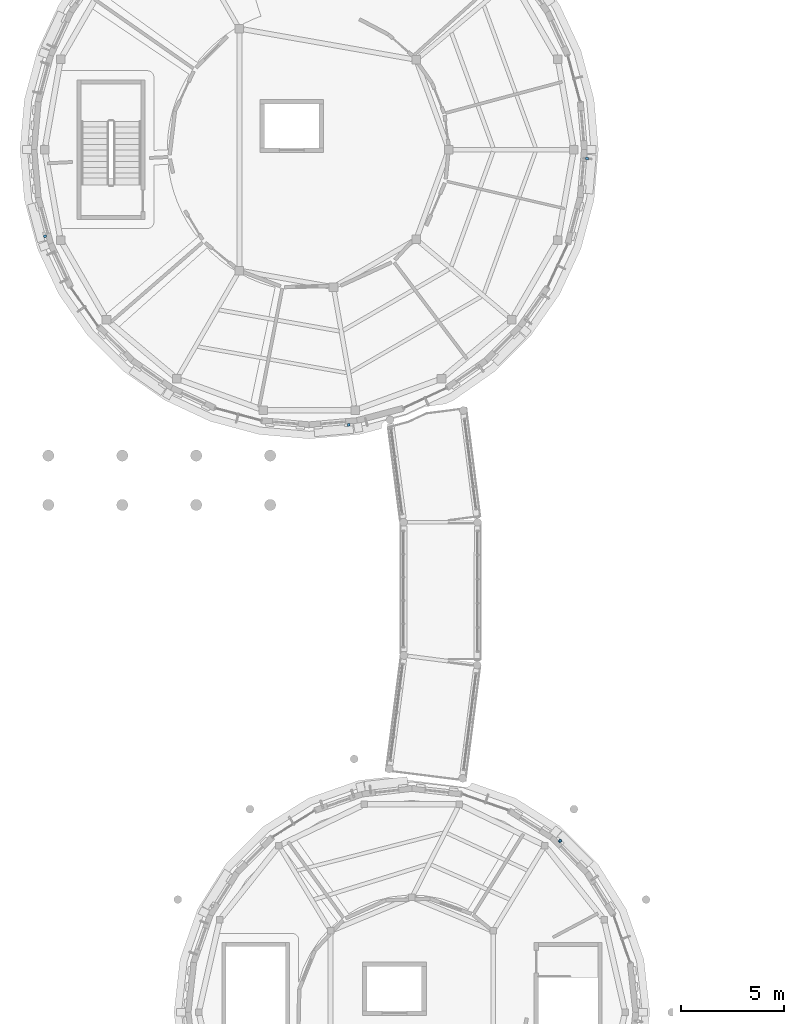
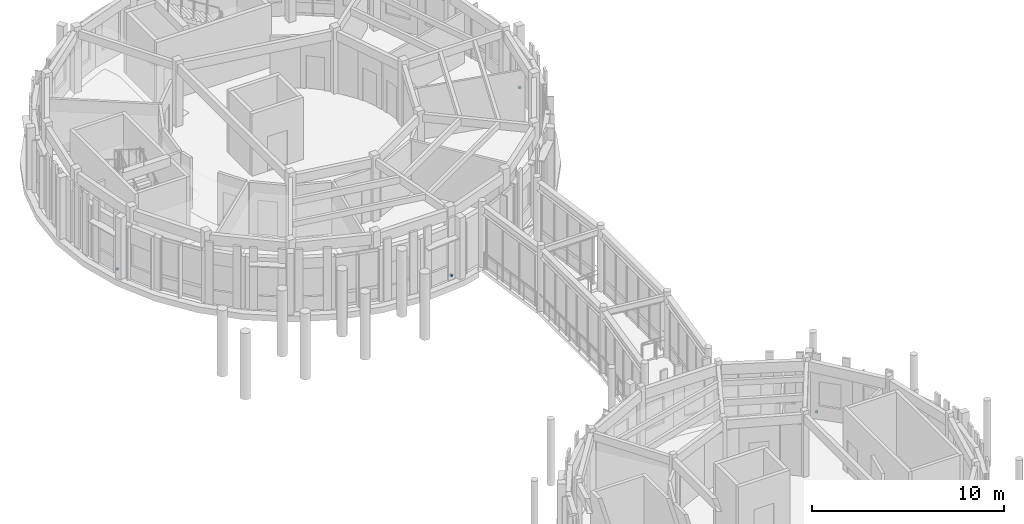
# One storey, part 62 of 80: 4 discrete accessories.
"""IFC4 building model written with IfcOpenShell, lengths in metres."""

from ifc_helpers import new_model, si_unit, direction, frame, origin, origin_2d, place, context, subcontext, project, spatial, rectangle, extrude, material, type_object, element, save


model = new_model("IFC4")

# Units and contexts
model_context = context("Model", 3, precision=1e-05, world=origin(), true_north=direction((0.0, 1.0)))
body_context = subcontext(model_context, "Body", "Model", "MODEL_VIEW")
ifc_project = project(units=[si_unit("LENGTHUNIT", "METRE"), si_unit("AREAUNIT", "SQUARE_METRE"), si_unit("VOLUMEUNIT", "CUBIC_METRE"), si_unit("PLANEANGLEUNIT", "RADIAN"), si_unit("MASSUNIT", "GRAM", prefix="KILO")], contexts=[model_context])

# Site, building, storey
site_placement = place(None, origin())
site = spatial("IfcSite", under=ifc_project, at=site_placement, CompositionType="ELEMENT")
building_placement = place(site_placement, origin())
building = spatial("IfcBuilding", under=site, at=building_placement, Name="Aldenvaro Health Centre", CompositionType="ELEMENT")
storey_placement = place(building_placement, frame((0.0, 0.0, 4.550048828125)))
storey = spatial("IfcBuildingStorey", under=building, at=storey_placement, Name="L01", CompositionType="ELEMENT", Elevation=4.550048828125)

# Discrete accessories
ifc_material = material(Name="Stainless Steel AISI 316", Category="steel")
discrete_accessory_type = type_object("IfcDiscreteAccessoryType", Name="ACC-BRK-01", PredefinedType="BRACKET", material=ifc_material)
for number, where, z_axis, x_axis, name in (
    (1, (30.7099609375, 65.842041015625, 0.18994140625), (0.0, 0.0, 1.0), (0.707106781187, -0.707106781187, 0.0), "D3 L01 stainless fin bracket 25"),
    (2, (32.028076171875, 99.06689453125, 0.18994140625), (0.0, 0.0, 1.0), (-0.087331575855, -0.996179299052, 0.0), "D4 L01 stainless fin bracket 1"),
    (3, (20.423095703125, 86.10302734375, 0.18994140625), (0.0, 0.0, 1.0), (-0.996179299052, -0.087331575855, 0.0), "D4 L01 stainless fin bracket 9"),
    (4, (5.639892578125, 95.280029296875, 0.18994140625), (0.0, 0.0, 1.0), (-0.258621935517, 0.965978620089, 0.0), "D4 L01 stainless fin bracket 17"),
):
    element("IfcDiscreteAccessory", number, at=place(storey_placement, frame(where, z_axis=z_axis, x_axis=x_axis)), inside=storey, type_object=discrete_accessory_type, Name=name, PredefinedType="BRACKET", context=body_context, shape_type="SweptSolid", body=[
        extrude(rectangle(XDim=0.1201171875, YDim=0.139892578125, at=origin_2d()), origin(), (0.0, 0.0, 1.0), 0.1201171875),
    ])

save(model, "model.ifc")
